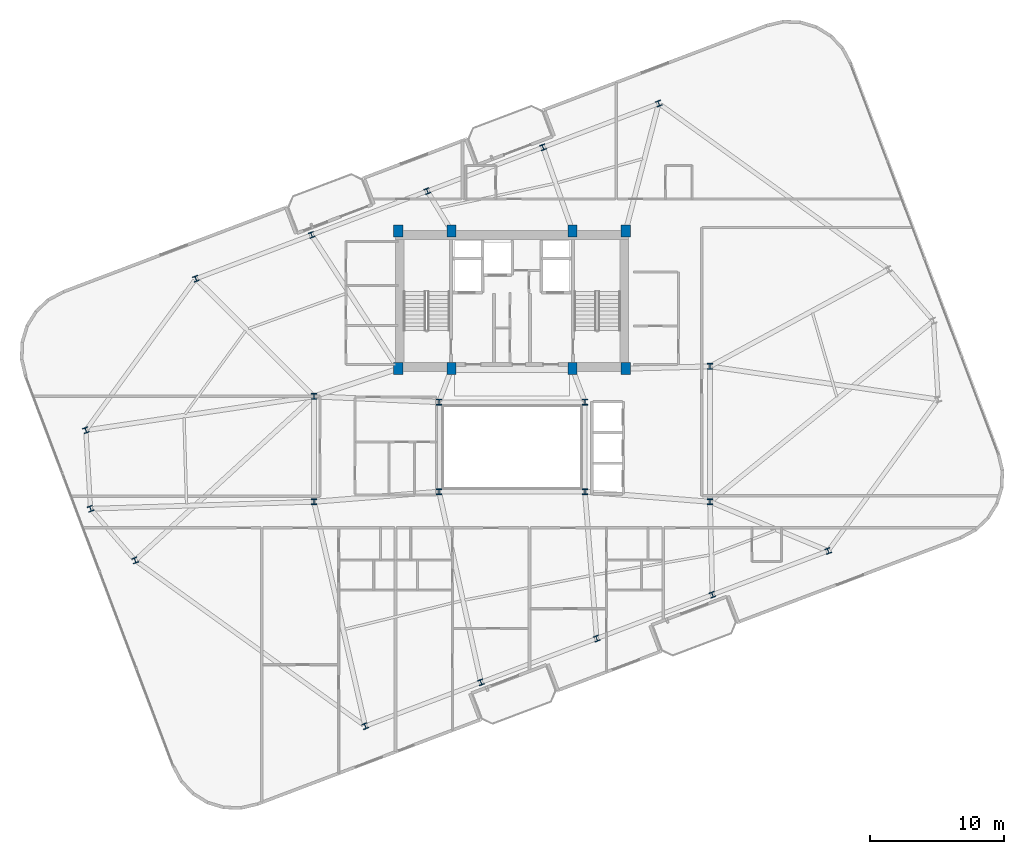
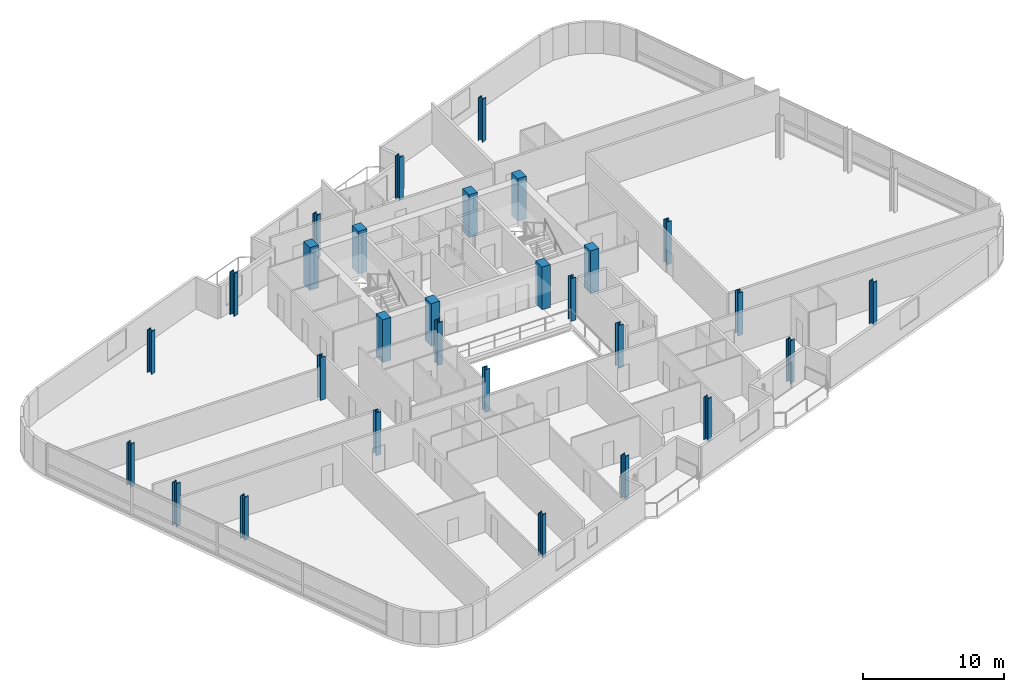
# One storey, part 1 of 20: 29 columns.
"""IFC4 building model written with IfcOpenShell, lengths in metres."""

from ifc_helpers import new_model, si_unit, direction, frame, origin, origin_2d, place, context, subcontext, project, spatial, rectangle, i_section, extrude, material, material_profile, profile_set, type_object, element, save


model = new_model("IFC4")

# Units and contexts
model_context = context("Model", 3, precision=1e-05, world=origin(), true_north=direction((0.0, 1.0)))
body_context = subcontext(model_context, "Body", "Model", "MODEL_VIEW")
ifc_project = project(units=[si_unit("LENGTHUNIT", "METRE"), si_unit("AREAUNIT", "SQUARE_METRE"), si_unit("VOLUMEUNIT", "CUBIC_METRE"), si_unit("PLANEANGLEUNIT", "RADIAN"), si_unit("MASSUNIT", "GRAM", prefix="KILO")], contexts=[model_context])

# Site, building, storey
site_placement = place(None, origin())
site = spatial("IfcSite", under=ifc_project, at=site_placement, CompositionType="ELEMENT")
building_placement = place(site_placement, origin())
building = spatial("IfcBuilding", under=site, at=building_placement, Name="Varnelok Gate Tower", CompositionType="ELEMENT")
storey_placement = place(building_placement, frame((0.0, 0.0, 220.10009765625)))
storey = spatial("IfcBuildingStorey", under=building, at=storey_placement, Name="L56", CompositionType="ELEMENT", Elevation=220.10009765625)

# Columns
ifc_material_1 = material(Name="Concrete C60/75", Category="concrete")
ifc_material_profile_1 = material_profile(ifc_material_1, rectangle(XDim=0.699951171875, YDim=0.89990234375, at=origin_2d()), Name="RC900X700")
ifc_profile_set_1 = profile_set([ifc_material_profile_1], Name="Concrete C60/75")
column_type_1 = type_object("IfcColumnType", Name="COL-RC900X700", PredefinedType="COLUMN", material=ifc_profile_set_1)
for number, where, z_axis, x_axis, name in (
    (1, (30.699951171875, 28.75, 0.0), (0.0, 0.0, 1.0), (1.0, 0.0, 0.0), "L56 Core Spine Column SC1"),
    (2, (34.679931640625, 28.75, 0.0), (0.0, 0.0, 1.0), (1.0, 0.0, 0.0), "L56 Core Spine Column SC2"),
    (3, (43.719970703125, 28.75, 0.0), (0.0, 0.0, 1.0), (1.0, 0.0, 0.0), "L56 Core Spine Column SC3"),
    (4, (47.699951171875, 28.75, 0.0), (0.0, 0.0, 1.0), (1.0, 0.0, 0.0), "L56 Core Spine Column SC4"),
    (5, (30.699951171875, 39.050048828125, 0.0), (0.0, 0.0, 1.0), (1.0, 0.0, 0.0), "L56 Core Spine Column SC5"),
    (6, (34.679931640625, 39.050048828125, 0.0), (0.0, 0.0, 1.0), (1.0, 0.0, 0.0), "L56 Core Spine Column SC6"),
    (7, (43.719970703125, 39.050048828125, 0.0), (0.0, 0.0, 1.0), (1.0, 0.0, 0.0), "L56 Core Spine Column SC7"),
    (8, (47.699951171875, 39.050048828125, 0.0), (0.0, 0.0, 1.0), (1.0, 0.0, 0.0), "L56 Core Spine Column SC8"),
):
    element("IfcColumn", number, at=place(storey_placement, frame(where, z_axis=z_axis, x_axis=x_axis)), inside=storey, type_object=column_type_1, Name=name, PredefinedType="COLUMN", context=body_context, shape_type="SweptSolid", body=[
        extrude(rectangle(XDim=0.699951171875, YDim=0.89990234375, at=origin_2d()), origin(), (0.0, 0.0, 1.0), 3.699951171875),
    ])
ifc_material_2 = material(Name="Structural Steel ASTM A992 Grade 50", Category="steel")
ifc_material_profile_2 = material_profile(ifc_material_2, i_section(OverallWidth=0.406005859375, OverallDepth=0.416015625, WebThickness=0.02978515625, FlangeThickness=0.048095703125, FilletRadius=0.02490234375, at=origin_2d()), Name="W14X257")
ifc_profile_set_2 = profile_set([ifc_material_profile_2], Name="Structural Steel ASTM A992 Grade 50")
column_type_2 = type_object("IfcColumnType", Name="COL-W14X257", PredefinedType="COLUMN", material=ifc_profile_set_2)
for number, where, z_axis, x_axis, name in (
    (9, (28.22900390625, 2.028076171875, 0.0), (0.0, 0.0, 1.0), (0.935221751401, 0.354062530786, 0.0), "L56 B5 Perimeter Column PC01"),
    (10, (36.8798828125, 5.30322265625, 0.0), (0.0, 0.0, 1.0), (0.935221751401, 0.354062530786, 0.0), "L56 B5 Perimeter Column PC02"),
    (11, (45.530517578125, 8.578125, 0.0), (0.0, 0.0, 1.0), (0.935221751401, 0.354062530786, 0.0), "L56 B5 Perimeter Column PC03"),
    (12, (54.181396484375, 11.853271484375, 0.0), (0.0, 0.0, 1.0), (0.935221751401, 0.354062530786, 0.0), "L56 B5 Perimeter Column PC04"),
    (13, (62.832275390625, 15.12841796875, 0.0), (0.0, 0.0, 1.0), (0.935221751401, 0.354062530786, 0.0), "L56 B5 Perimeter Column PC05"),
    (14, (50.1708984375, 48.572021484375, 0.0), (0.0, 0.0, 1.0), (0.935221751401, 0.354062530786, 0.0), "L56 B5 Perimeter Column PC09"),
    (15, (41.520263671875, 45.296875, 0.0), (0.0, 0.0, 1.0), (0.935221751401, 0.354062530786, 0.0), "L56 B5 Perimeter Column PC10"),
    (16, (32.869384765625, 42.021728515625, 0.0), (0.0, 0.0, 1.0), (0.935221751401, 0.354062530786, 0.0), "L56 B5 Perimeter Column PC11"),
    (17, (24.218505859375, 38.74658203125, 0.0), (0.0, 0.0, 1.0), (0.935221751401, 0.354062530786, 0.0), "L56 B5 Perimeter Column PC12"),
    (18, (15.56787109375, 35.4716796875, 0.0), (0.0, 0.0, 1.0), (0.935221751401, 0.354062530786, 0.0), "L56 B5 Perimeter Column PC13"),
    (19, (7.344970703125, 24.146484375, 0.0), (0.0, 0.0, 1.0), (0.935221751401, 0.354062530786, 0.0), "L56 B5 Perimeter Column PC14"),
    (20, (7.694580078125, 18.280517578125, 0.0), (0.0, 0.0, 1.0), (0.935221751401, 0.354062530786, 0.0), "L56 B5 Perimeter Column PC15"),
    (21, (11.027099609375, 14.42041015625, 0.0), (0.0, 0.0, 1.0), (0.935221751401, 0.354062530786, 0.0), "L56 B5 Perimeter Column PC16"),
):
    element("IfcColumn", number, at=place(storey_placement, frame(where, z_axis=z_axis, x_axis=x_axis)), inside=storey, type_object=column_type_2, Name=name, PredefinedType="COLUMN", context=body_context, shape_type="SweptSolid", body=[
        extrude(i_section(OverallWidth=0.406005859375, OverallDepth=0.416015625, WebThickness=0.02978515625, FlangeThickness=0.048095703125, FilletRadius=0.02490234375, at=origin_2d()), origin(), (0.0, 0.0, 1.0), 3.699951171875),
    ])
ifc_material_profile_3 = material_profile(ifc_material_2, i_section(OverallWidth=0.412109375, OverallDepth=0.43505859375, WebThickness=0.035888671875, FlangeThickness=0.057373046875, FilletRadius=0.02490234375, at=origin_2d()), Name="W14X311")
ifc_profile_set_3 = profile_set([ifc_material_profile_3], Name="Structural Steel ASTM A992 Grade 50")
column_type_3 = type_object("IfcColumnType", Name="COL-W14X311", PredefinedType="COLUMN", material=ifc_profile_set_3)
for number, where, z_axis, x_axis, name in (
    (22, (33.75, 19.550048828125, 0.0), (0.0, 0.0, 1.0), (1.0, 0.0, 0.0), "L56 Atrium Spine Column AC1"),
    (23, (44.64990234375, 19.550048828125, 0.0), (0.0, 0.0, 1.0), (1.0, 0.0, 0.0), "L56 Atrium Spine Column AC2"),
    (24, (33.75, 26.25, 0.0), (0.0, 0.0, 1.0), (1.0, 0.0, 0.0), "L56 Atrium Spine Column AC3"),
    (25, (44.64990234375, 26.25, 0.0), (0.0, 0.0, 1.0), (1.0, 0.0, 0.0), "L56 Atrium Spine Column AC4"),
    (26, (24.39990234375, 18.800048828125, 0.0), (0.0, 0.0, 1.0), (1.0, 0.0, 0.0), "L56 Wing Spine Column WS1"),
    (27, (24.39990234375, 26.679931640625, 0.0), (0.0, 0.0, 1.0), (1.0, 0.0, 0.0), "L56 Wing Spine Column WS2"),
    (28, (54.0, 18.800048828125, 0.0), (0.0, 0.0, 1.0), (1.0, 0.0, 0.0), "L56 Wing Spine Column ES1"),
    (29, (54.0, 28.919921875, 0.0), (0.0, 0.0, 1.0), (1.0, 0.0, 0.0), "L56 Wing Spine Column ES2"),
):
    element("IfcColumn", number, at=place(storey_placement, frame(where, z_axis=z_axis, x_axis=x_axis)), inside=storey, type_object=column_type_3, Name=name, PredefinedType="COLUMN", context=body_context, shape_type="SweptSolid", body=[
        extrude(i_section(OverallWidth=0.412109375, OverallDepth=0.43505859375, WebThickness=0.035888671875, FlangeThickness=0.057373046875, FilletRadius=0.02490234375, at=origin_2d()), origin(), (0.0, 0.0, 1.0), 3.699951171875),
    ])

save(model, "model.ifc")
